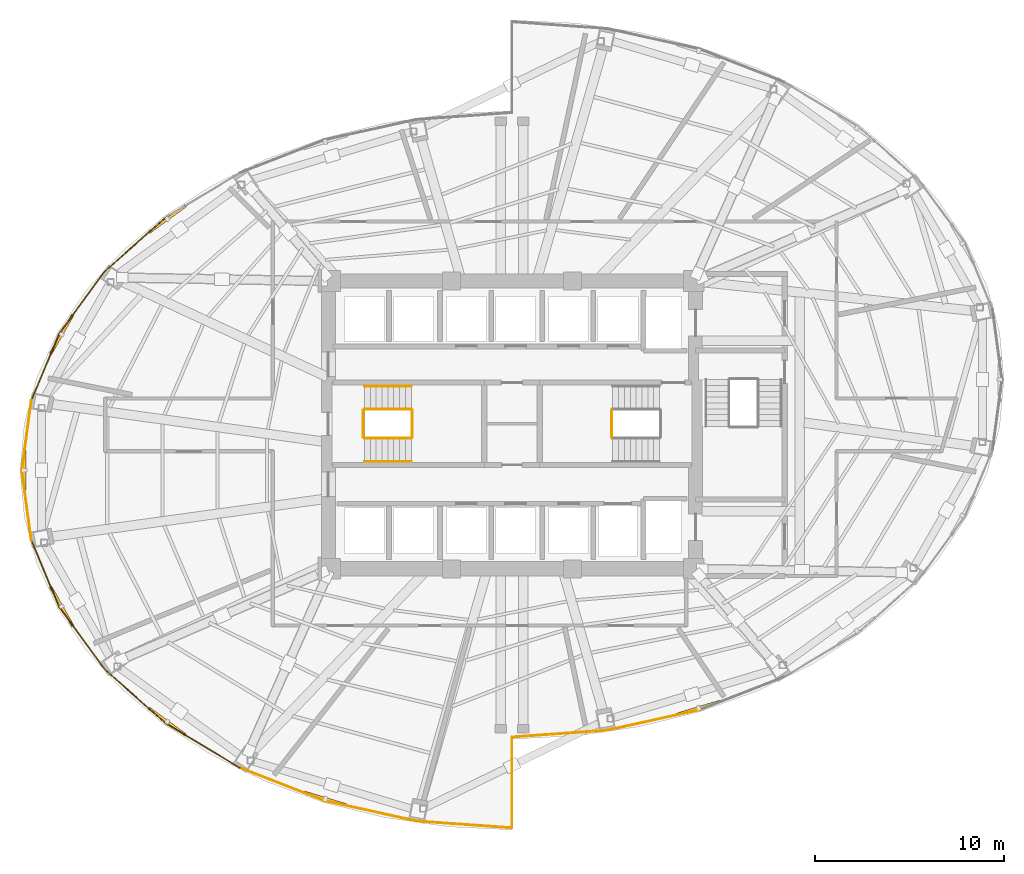
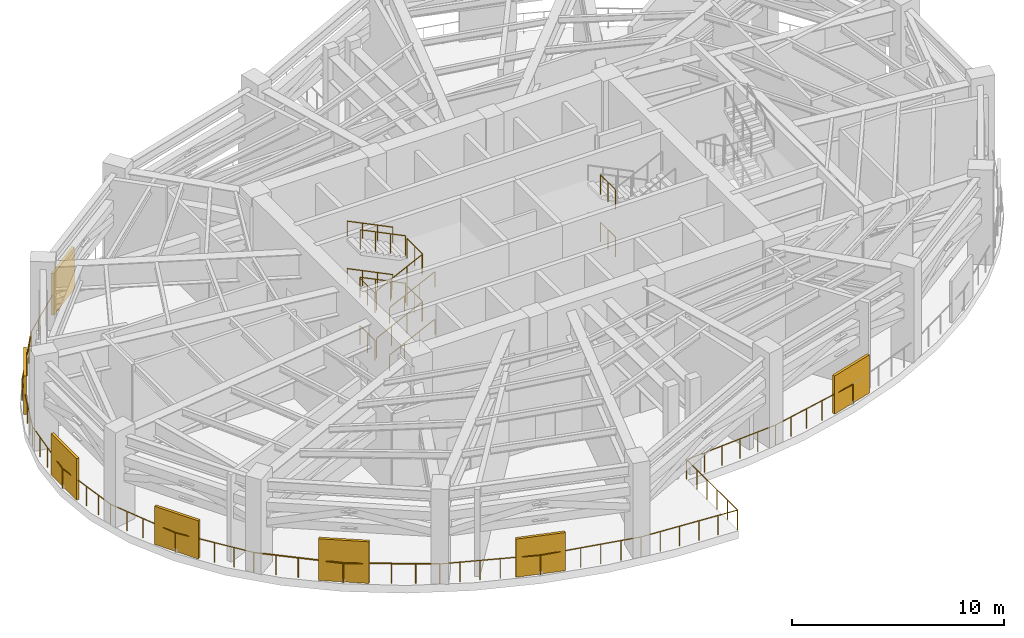
# One storey, part 10 of 12: 29 railings, 7 shading devices.
"""IFC4 building model written with IfcOpenShell, lengths in metres."""

import ifcopenshell
import ifcopenshell.guid

model = None  # the IFC model being written
_history = None  # IfcOwnerHistory: only IFC2X3 demands one
_inside = {}  # id of a spatial element -> (the spatial element, [elements in it])
_under = {}  # id of a project, library or spatial element -> (it, [spatial elements below it])
_declared = {}  # id of a project -> (the project, [libraries it declares])
_typed = {}  # id of a type object -> (the type object, [elements of that type])
_made_of = {}  # id of a material, layer set ... -> (it, [elements and type objects made of it])


def new_model(schema):
    """Start an empty IFC model of exactly this schema.

    Asked for "IFC4X3", IfcOpenShell would pick the latest addendum, in which some entities
    have other attributes; the version numbers below select the first issue.
    IFC2X3 requires an IfcOwnerHistory on every rooted entity: one is made here for all.
    """
    global model, _history
    if schema == "IFC4X3":
        model = ifcopenshell.file(schema_version=(4, 3, 0, 0))
    else:
        model = ifcopenshell.file(schema=schema)
    _inside.clear()
    _under.clear()
    _declared.clear()
    _typed.clear()
    _made_of.clear()
    _history = None
    if model.schema == "IFC2X3":
        org = make("IfcOrganization", Name="unknown")
        user = make(
            "IfcPersonAndOrganization",
            ThePerson=make("IfcPerson", FamilyName="unknown"),
            TheOrganization=org,
        )
        app = make(
            "IfcApplication",
            ApplicationDeveloper=org,
            Version="unknown",
            ApplicationFullName="unknown",
            ApplicationIdentifier="unknown",
        )
        _history = make(
            "IfcOwnerHistory",
            OwningUser=user,
            OwningApplication=app,
            ChangeAction="ADDED",
            CreationDate=0,
        )
    return model


def make(cls, **values):
    """One entity of the class cls with the attributes given. An attribute that is None is left unset."""
    return model.create_entity(
        cls, **{name: value for name, value in values.items() if value is not None}
    )


def rooted(cls, **values):
    """An entity with a GlobalId (a new one), such as an element, a storey or a relation."""
    return make(cls, GlobalId=ifcopenshell.guid.new(), OwnerHistory=_history, **values)


def si_unit(unit_type, name, prefix=None):
    """IfcSIUnit, for example si_unit("LENGTHUNIT", "METRE", prefix="MILLI")."""
    return make("IfcSIUnit", UnitType=unit_type, Prefix=prefix, Name=name)


def assignment(units):
    """IfcUnitAssignment: the units of a project."""
    return None if units is None else make("IfcUnitAssignment", Units=units)


def point(xyz):
    """IfcCartesianPoint."""
    return None if xyz is None else make("IfcCartesianPoint", Coordinates=xyz)


def direction(xyz):
    """IfcDirection."""
    return None if xyz is None else make("IfcDirection", DirectionRatios=xyz)


def frame(location, z_axis=None, x_axis=None):
    """IfcAxis2Placement3D, a coordinate frame: its origin and axes. An axis left out is left unset."""
    return make(
        "IfcAxis2Placement3D",
        Location=point(location),
        Axis=direction(z_axis),
        RefDirection=direction(x_axis),
    )


def frame_2d(location, x_axis=None):
    """IfcAxis2Placement2D, a coordinate frame in the plane: its origin and x axis."""
    return make(
        "IfcAxis2Placement2D", Location=point(location), RefDirection=direction(x_axis)
    )


def origin():
    """The frame at (0, 0, 0) with its axes left unset."""
    return frame((0.0, 0.0, 0.0))


def origin_2d():
    """The frame at (0, 0) in the plane with its x axis left unset."""
    return frame_2d((0.0, 0.0))


def place(relative_to, where):
    """IfcLocalPlacement: puts the frame where relative to a parent placement (None: the world)."""
    return make(
        "IfcLocalPlacement", PlacementRelTo=relative_to, RelativePlacement=where
    )


def context(
    kind, dimensions, precision=None, world=None, true_north=None, identifier=None
):
    """IfcGeometricRepresentationContext, for example the 3D "Model" context."""
    return make(
        "IfcGeometricRepresentationContext",
        ContextIdentifier=identifier,
        ContextType=kind,
        CoordinateSpaceDimension=dimensions,
        Precision=precision,
        WorldCoordinateSystem=world,
        TrueNorth=true_north,
    )


def subcontext(parent, identifier, kind, view, scale=None):
    """IfcGeometricRepresentationSubContext, for example "Body" below "Model"."""
    return make(
        "IfcGeometricRepresentationSubContext",
        ContextIdentifier=identifier,
        ContextType=kind,
        ParentContext=parent,
        TargetScale=scale,
        TargetView=view,
    )


def project(units=None, contexts=None):
    """IfcProject with its units and contexts."""
    return rooted(
        "IfcProject",
        Name="project",
        RepresentationContexts=contexts,
        UnitsInContext=assignment(units),
    )


def spatial(cls, under=None, at=None, **own):
    """A site, building, storey or space (cls), placed at a placement, below another one or the project."""
    s = rooted(cls, ObjectPlacement=at, **own)
    if under is not None:
        _under.setdefault(under.id(), (under, []))[1].append(s)
    return s


def profile(cls, at=None, kind="AREA", **sizes):
    """A parametric profile (cls). Its sizes go by their IFC names, for example OverallWidth=200.0."""
    return make(cls, ProfileType=kind, Position=at, **sizes)


def rectangle(**sizes):
    """IfcRectangleProfileDef."""
    return profile("IfcRectangleProfileDef", **sizes)


def circle(**sizes):
    """IfcCircleProfileDef."""
    return profile("IfcCircleProfileDef", **sizes)


def extrude(swept, where, along, depth):
    """IfcExtrudedAreaSolid: the profile swept, set in the frame where, extruded along a direction by depth."""
    return make(
        "IfcExtrudedAreaSolid",
        SweptArea=swept,
        Position=where,
        ExtrudedDirection=direction(along),
        Depth=depth,
    )


def shape(context_of_items, identifier, shape_type, items):
    """IfcShapeRepresentation: the items that make up one representation, for example the "Body"."""
    return make(
        "IfcShapeRepresentation",
        ContextOfItems=context_of_items,
        RepresentationIdentifier=identifier,
        RepresentationType=shape_type,
        Items=items,
    )


def material(Name=None, Category=None):
    """IfcMaterial."""
    return make("IfcMaterial", Name=Name, Category=Category)


def made_of(thing, what):
    """Note that an element or type object is made of a material, layer set ...; save() writes the relation."""
    if what is not None:
        _made_of.setdefault(what.id(), (what, []))[1].append(thing)
    return thing


def type_object(cls, material=None, **own):
    """A type object (cls), such as IfcWallType, which elements share."""
    return made_of(rooted(cls, **own), material)


def element(
    cls,
    number,
    at=None,
    inside=None,
    cuts=None,
    type_object=None,
    material=None,
    context=None,
    identifier="Body",
    shape_type=None,
    held_by="IfcProductDefinitionShape",
    body=None,
    shapes=None,
    **own,
):
    """One element of the class cls, such as IfcWall. Its Tag is "e" and its number.

    at: its placement. inside: the storey or other place that contains it. cuts: it is an
    opening in that element (IfcRelVoidsElement). A single representation is given by context,
    identifier, shape_type and body (its items); several are given by shapes. held_by: the class
    of the entity that holds the representations. save() writes the other relations.
    """
    e = rooted(cls, Tag="e%d" % number, ObjectPlacement=at, **own)
    if body is not None:
        shapes = [shape(context, identifier, shape_type, body)]
    if shapes is not None:
        e.Representation = make(held_by, Representations=shapes)
    if inside is not None:
        _inside.setdefault(inside.id(), (inside, []))[1].append(e)
    if cuts is not None:
        rooted(
            "IfcRelVoidsElement", RelatingBuildingElement=cuts, RelatedOpeningElement=e
        )
    if type_object is not None:
        _typed.setdefault(type_object.id(), (type_object, []))[1].append(e)
    return made_of(e, material)


def aggregate(whole, parts):
    """IfcRelAggregates: a whole, such as a stair, and the parts it consists of."""
    return rooted("IfcRelAggregates", RelatingObject=whole, RelatedObjects=parts)


def save(model, path):
    """Write the relations noted so far, then the file.

    IfcRelAggregates (storeys below a building ...), IfcRelContainedInSpatialStructure (elements
    in a storey), IfcRelDefinesByType, IfcRelAssociatesMaterial and IfcRelDeclares: one each for
    every whole, place, type object, material and project.
    """
    for whole, parts in _under.values():
        aggregate(whole, parts)
    for where, things in _inside.values():
        rooted(
            "IfcRelContainedInSpatialStructure",
            RelatedElements=things,
            RelatingStructure=where,
        )
    for kind, things in _typed.values():
        rooted("IfcRelDefinesByType", RelatedObjects=things, RelatingType=kind)
    for what, things in _made_of.values():
        rooted("IfcRelAssociatesMaterial", RelatedObjects=things, RelatingMaterial=what)
    for by, libraries in _declared.values():
        rooted("IfcRelDeclares", RelatingContext=by, RelatedDefinitions=libraries)
    model.write(path)


model = new_model("IFC4")

# Units and contexts
model_context = context("Model", 3, precision=1e-05, world=origin(), true_north=direction((0.0, 1.0)))
body_context = subcontext(model_context, "Body", "Model", "MODEL_VIEW")
ifc_project = project(units=[si_unit("LENGTHUNIT", "METRE"), si_unit("AREAUNIT", "SQUARE_METRE"), si_unit("VOLUMEUNIT", "CUBIC_METRE"), si_unit("PLANEANGLEUNIT", "RADIAN"), si_unit("MASSUNIT", "GRAM", prefix="KILO")], contexts=[model_context])

# Site, building, storey
site_placement = place(None, origin())
site = spatial("IfcSite", under=ifc_project, at=site_placement, CompositionType="ELEMENT")
building_placement = place(site_placement, origin())
building = spatial("IfcBuilding", under=site, at=building_placement, Name="Lazwardi Medical Tower", CompositionType="ELEMENT")
storey_placement = place(building_placement, frame((0.0, 0.0, 132.81591796875)))
storey = spatial("IfcBuildingStorey", under=building, at=storey_placement, Name="L34", CompositionType="ELEMENT", Elevation=132.81591796875)

# Railings
ifc_material_1 = material(Name="Anodised bronze aluminium", Category="aluminium")
railing_type_1 = type_object("IfcRailingType", Name="RLG-BAL-1100", PredefinedType="BALUSTRADE", material=ifc_material_1)
railing_1_placement = place(storey_placement, frame((36.0, 11.5, 0.0)))
element("IfcRailing", 1, at=railing_1_placement, inside=storey, type_object=railing_type_1, Name="L34 Refuge Band Perimeter Balustrade 01", PredefinedType="BALUSTRADE", context=body_context, shape_type="SweptSolid", body=[
    extrude(circle(Radius=0.02392578125, at=origin_2d()), frame((0.0, 0.0, 1.1259765625), z_axis=(0.997425320011, 0.071712837078, 0.0), x_axis=(-0.071712837078, 0.997425320011, 0.0)), (0.0, 0.0, 1.0), 5.065673828125),
    extrude(circle(Radius=0.02099609375, at=origin_2d()), origin(), (0.0, 0.0, 1.0), 1.099853515625),
    extrude(circle(Radius=0.02099609375, at=origin_2d()), frame((1.010498046875, 0.07275390625, 0.0)), (0.0, 0.0, 1.0), 1.099853515625),
    extrude(circle(Radius=0.02099609375, at=origin_2d()), frame((2.02099609375, 0.145263671875, 0.0)), (0.0, 0.0, 1.0), 1.099853515625),
    extrude(circle(Radius=0.02099609375, at=origin_2d()), frame((3.03173828125, 0.218017578125, 0.0)), (0.0, 0.0, 1.0), 1.099853515625),
    extrude(circle(Radius=0.02099609375, at=origin_2d()), frame((4.042236328125, 0.29052734375, 0.0)), (0.0, 0.0, 1.0), 1.099853515625),
    extrude(circle(Radius=0.02099609375, at=origin_2d()), frame((5.052734375, 0.36328125, 0.0)), (0.0, 0.0, 1.0), 1.099853515625),
])
railing_2_placement = place(storey_placement, frame((41.052734375, 11.86328125, 0.0)))
element("IfcRailing", 2, at=railing_2_placement, inside=storey, type_object=railing_type_1, Name="L34 Refuge Band Perimeter Balustrade 02", PredefinedType="BALUSTRADE", context=body_context, shape_type="SweptSolid", body=[
    extrude(circle(Radius=0.02392578125, at=origin_2d()), frame((0.0, 0.0, 1.1259765625), z_axis=(0.976370248797, 0.216104459147, 0.0), x_axis=(-0.216104459147, 0.976370248797, 0.0)), (0.0, 0.0, 1.0), 4.9765625),
    extrude(circle(Radius=0.02099609375, at=origin_2d()), origin(), (0.0, 0.0, 1.0), 1.099853515625),
    extrude(circle(Radius=0.02099609375, at=origin_2d()), frame((0.9716796875, 0.215087890625, 0.0)), (0.0, 0.0, 1.0), 1.099853515625),
    extrude(circle(Radius=0.02099609375, at=origin_2d()), frame((1.943603515625, 0.43017578125, 0.0)), (0.0, 0.0, 1.0), 1.099853515625),
    extrude(circle(Radius=0.02099609375, at=origin_2d()), frame((2.915283203125, 0.645263671875, 0.0)), (0.0, 0.0, 1.0), 1.099853515625),
    extrude(circle(Radius=0.02099609375, at=origin_2d()), frame((3.88720703125, 0.8603515625, 0.0)), (0.0, 0.0, 1.0), 1.099853515625),
    extrude(circle(Radius=0.02099609375, at=origin_2d()), frame((4.85888671875, 1.075439453125, 0.0)), (0.0, 0.0, 1.0), 1.099853515625),
])
railing_3_placement = place(storey_placement, frame((17.685791015625, 38.96435546875, 0.0)))
element("IfcRailing", 3, at=railing_3_placement, inside=storey, type_object=railing_type_1, Name="L34 Refuge Band Perimeter Balustrade 22", PredefinedType="BALUSTRADE", context=body_context, shape_type="SweptSolid", body=[
    extrude(circle(Radius=0.02392578125, at=origin_2d()), frame((0.0, 0.0, 1.1259765625), z_axis=(-0.747299927675, -0.664486883314, 0.0), x_axis=(0.664486883314, -0.747299927675, 0.0)), (0.0, 0.0, 1.0), 4.31005859375),
    extrude(circle(Radius=0.02099609375, at=origin_2d()), origin(), (0.0, 0.0, 1.0), 1.099853515625),
    extrude(circle(Radius=0.02099609375, at=origin_2d()), frame((-0.80517578125, -0.716064453125, 0.0)), (0.0, 0.0, 1.0), 1.099853515625),
    extrude(circle(Radius=0.02099609375, at=origin_2d()), frame((-1.6103515625, -1.43212890625, 0.0)), (0.0, 0.0, 1.0), 1.099853515625),
    extrude(circle(Radius=0.02099609375, at=origin_2d()), frame((-2.415771484375, -2.14794921875, 0.0)), (0.0, 0.0, 1.0), 1.099853515625),
    extrude(circle(Radius=0.02099609375, at=origin_2d()), frame((-3.220947265625, -2.864013671875, 0.0)), (0.0, 0.0, 1.0), 1.099853515625),
])
railing_4_placement = place(storey_placement, frame((14.46484375, 36.100341796875, 0.0)))
element("IfcRailing", 4, at=railing_4_placement, inside=storey, type_object=railing_type_1, Name="L34 Refuge Band Perimeter Balustrade 23", PredefinedType="BALUSTRADE", context=body_context, shape_type="SweptSolid", body=[
    extrude(circle(Radius=0.02392578125, at=origin_2d()), frame((0.0, 0.0, 1.1259765625), z_axis=(-0.590895807356, -0.806747881837, 0.0), x_axis=(0.806747881837, -0.590895807356, 0.0)), (0.0, 0.0, 1.0), 4.05029296875),
    extrude(circle(Radius=0.02099609375, at=origin_2d()), origin(), (0.0, 0.0, 1.0), 1.099853515625),
    extrude(circle(Radius=0.02099609375, at=origin_2d()), frame((-0.598388671875, -0.81689453125, 0.0)), (0.0, 0.0, 1.0), 1.099853515625),
    extrude(circle(Radius=0.02099609375, at=origin_2d()), frame((-1.19677734375, -1.6337890625, 0.0)), (0.0, 0.0, 1.0), 1.099853515625),
    extrude(circle(Radius=0.02099609375, at=origin_2d()), frame((-1.794921875, -2.45068359375, 0.0)), (0.0, 0.0, 1.0), 1.099853515625),
    extrude(circle(Radius=0.02099609375, at=origin_2d()), frame((-2.393310546875, -3.267578125, 0.0)), (0.0, 0.0, 1.0), 1.099853515625),
])
railing_5_placement = place(storey_placement, frame((12.071533203125, 32.832763671875, 0.0)))
element("IfcRailing", 5, at=railing_5_placement, inside=storey, type_object=railing_type_1, Name="L34 Refuge Band Perimeter Balustrade 24", PredefinedType="BALUSTRADE", context=body_context, shape_type="SweptSolid", body=[
    extrude(circle(Radius=0.02392578125, at=origin_2d()), frame((0.0, 0.0, 1.1259765625), z_axis=(-0.383843239309, -0.923398271407, 0.0), x_axis=(0.923398271407, -0.383843239309, 0.0)), (0.0, 0.0, 1.0), 3.83984375),
    extrude(circle(Radius=0.02099609375, at=origin_2d()), origin(), (0.0, 0.0, 1.0), 1.099853515625),
    extrude(circle(Radius=0.02099609375, at=origin_2d()), frame((-0.368408203125, -0.886474609375, 0.0)), (0.0, 0.0, 1.0), 1.099853515625),
    extrude(circle(Radius=0.02099609375, at=origin_2d()), frame((-0.73681640625, -1.77294921875, 0.0)), (0.0, 0.0, 1.0), 1.099853515625),
    extrude(circle(Radius=0.02099609375, at=origin_2d()), frame((-1.10546875, -2.6591796875, 0.0)), (0.0, 0.0, 1.0), 1.099853515625),
    extrude(circle(Radius=0.02099609375, at=origin_2d()), frame((-1.473876953125, -3.545654296875, 0.0)), (0.0, 0.0, 1.0), 1.099853515625),
])
railing_6_placement = place(storey_placement, frame((10.59765625, 29.287109375, 0.0)))
element("IfcRailing", 6, at=railing_6_placement, inside=storey, type_object=railing_type_1, Name="L34 Refuge Band Perimeter Balustrade 25", PredefinedType="BALUSTRADE", context=body_context, shape_type="SweptSolid", body=[
    extrude(circle(Radius=0.02392578125, at=origin_2d()), frame((0.0, 0.0, 1.1259765625), z_axis=(-0.13373675188, -0.991016892488, 0.0), x_axis=(0.991016892488, -0.13373675188, 0.0)), (0.0, 0.0, 1.0), 3.720458984375),
    extrude(circle(Radius=0.02099609375, at=origin_2d()), origin(), (0.0, 0.0, 1.0), 1.099853515625),
    extrude(circle(Radius=0.02099609375, at=origin_2d()), frame((-0.12451171875, -0.921875, 0.0)), (0.0, 0.0, 1.0), 1.099853515625),
    extrude(circle(Radius=0.02099609375, at=origin_2d()), frame((-0.248779296875, -1.843505859375, 0.0)), (0.0, 0.0, 1.0), 1.099853515625),
    extrude(circle(Radius=0.02099609375, at=origin_2d()), frame((-0.373046875, -2.76513671875, 0.0)), (0.0, 0.0, 1.0), 1.099853515625),
    extrude(circle(Radius=0.02099609375, at=origin_2d()), frame((-0.49755859375, -3.68701171875, 0.0)), (0.0, 0.0, 1.0), 1.099853515625),
])
railing_7_placement = place(storey_placement, frame((10.10009765625, 25.60009765625, 0.0)))
element("IfcRailing", 7, at=railing_7_placement, inside=storey, type_object=railing_type_1, Name="L34 Refuge Band Perimeter Balustrade 26", PredefinedType="BALUSTRADE", context=body_context, shape_type="SweptSolid", body=[
    extrude(circle(Radius=0.02392578125, at=origin_2d()), frame((0.0, 0.0, 1.1259765625), z_axis=(0.133728055261, -0.991018066049, 0.0), x_axis=(0.991018066049, 0.133728055261, 0.0)), (0.0, 0.0, 1.0), 3.720703125),
    extrude(circle(Radius=0.02099609375, at=origin_2d()), origin(), (0.0, 0.0, 1.0), 1.099853515625),
    extrude(circle(Radius=0.02099609375, at=origin_2d()), frame((0.12451171875, -0.921875, 0.0)), (0.0, 0.0, 1.0), 1.099853515625),
    extrude(circle(Radius=0.02099609375, at=origin_2d()), frame((0.248779296875, -1.84375, 0.0)), (0.0, 0.0, 1.0), 1.099853515625),
    extrude(circle(Radius=0.02099609375, at=origin_2d()), frame((0.373046875, -2.765380859375, 0.0)), (0.0, 0.0, 1.0), 1.099853515625),
    extrude(circle(Radius=0.02099609375, at=origin_2d()), frame((0.49755859375, -3.687255859375, 0.0)), (0.0, 0.0, 1.0), 1.099853515625),
])
railing_8_placement = place(storey_placement, frame((10.59765625, 21.912841796875, 0.0)))
element("IfcRailing", 8, at=railing_8_placement, inside=storey, type_object=railing_type_1, Name="L34 Refuge Band Perimeter Balustrade 27", PredefinedType="BALUSTRADE", context=body_context, shape_type="SweptSolid", body=[
    extrude(circle(Radius=0.02392578125, at=origin_2d()), frame((0.0, 0.0, 1.1259765625), z_axis=(0.383843239309, -0.923398271407, 0.0), x_axis=(0.923398271407, 0.383843239309, 0.0)), (0.0, 0.0, 1.0), 3.83984375),
    extrude(circle(Radius=0.02099609375, at=origin_2d()), origin(), (0.0, 0.0, 1.0), 1.099853515625),
    extrude(circle(Radius=0.02099609375, at=origin_2d()), frame((0.368408203125, -0.886474609375, 0.0)), (0.0, 0.0, 1.0), 1.099853515625),
    extrude(circle(Radius=0.02099609375, at=origin_2d()), frame((0.73681640625, -1.77294921875, 0.0)), (0.0, 0.0, 1.0), 1.099853515625),
    extrude(circle(Radius=0.02099609375, at=origin_2d()), frame((1.10546875, -2.6591796875, 0.0)), (0.0, 0.0, 1.0), 1.099853515625),
    extrude(circle(Radius=0.02099609375, at=origin_2d()), frame((1.473876953125, -3.545654296875, 0.0)), (0.0, 0.0, 1.0), 1.099853515625),
])
railing_9_placement = place(storey_placement, frame((12.071533203125, 18.3671875, 0.0)))
element("IfcRailing", 9, at=railing_9_placement, inside=storey, type_object=railing_type_1, Name="L34 Refuge Band Perimeter Balustrade 28", PredefinedType="BALUSTRADE", context=body_context, shape_type="SweptSolid", body=[
    extrude(circle(Radius=0.02392578125, at=origin_2d()), frame((0.0, 0.0, 1.1259765625), z_axis=(0.590895807356, -0.806747881837, 0.0), x_axis=(0.806747881837, 0.590895807356, 0.0)), (0.0, 0.0, 1.0), 4.05029296875),
    extrude(circle(Radius=0.02099609375, at=origin_2d()), origin(), (0.0, 0.0, 1.0), 1.099853515625),
    extrude(circle(Radius=0.02099609375, at=origin_2d()), frame((0.598388671875, -0.81689453125, 0.0)), (0.0, 0.0, 1.0), 1.099853515625),
    extrude(circle(Radius=0.02099609375, at=origin_2d()), frame((1.19677734375, -1.6337890625, 0.0)), (0.0, 0.0, 1.0), 1.099853515625),
    extrude(circle(Radius=0.02099609375, at=origin_2d()), frame((1.794921875, -2.45068359375, 0.0)), (0.0, 0.0, 1.0), 1.099853515625),
    extrude(circle(Radius=0.02099609375, at=origin_2d()), frame((2.393310546875, -3.267578125, 0.0)), (0.0, 0.0, 1.0), 1.099853515625),
])
railing_10_placement = place(storey_placement, frame((14.46484375, 15.099609375, 0.0)))
element("IfcRailing", 10, at=railing_10_placement, inside=storey, type_object=railing_type_1, Name="L34 Refuge Band Perimeter Balustrade 29", PredefinedType="BALUSTRADE", context=body_context, shape_type="SweptSolid", body=[
    extrude(circle(Radius=0.02392578125, at=origin_2d()), frame((0.0, 0.0, 1.1259765625), z_axis=(0.747299927675, -0.664486883314, 0.0), x_axis=(0.664486883314, 0.747299927675, 0.0)), (0.0, 0.0, 1.0), 4.31005859375),
    extrude(circle(Radius=0.02099609375, at=origin_2d()), origin(), (0.0, 0.0, 1.0), 1.099853515625),
    extrude(circle(Radius=0.02099609375, at=origin_2d()), frame((0.80517578125, -0.716064453125, 0.0)), (0.0, 0.0, 1.0), 1.099853515625),
    extrude(circle(Radius=0.02099609375, at=origin_2d()), frame((1.6103515625, -1.43212890625, 0.0)), (0.0, 0.0, 1.0), 1.099853515625),
    extrude(circle(Radius=0.02099609375, at=origin_2d()), frame((2.415771484375, -2.14794921875, 0.0)), (0.0, 0.0, 1.0), 1.099853515625),
    extrude(circle(Radius=0.02099609375, at=origin_2d()), frame((3.220947265625, -2.864013671875, 0.0)), (0.0, 0.0, 1.0), 1.099853515625),
])
railing_11_placement = place(storey_placement, frame((17.685791015625, 12.235595703125, 0.0)))
element("IfcRailing", 11, at=railing_11_placement, inside=storey, type_object=railing_type_1, Name="L34 Refuge Band Perimeter Balustrade 30", PredefinedType="BALUSTRADE", context=body_context, shape_type="SweptSolid", body=[
    extrude(circle(Radius=0.02392578125, at=origin_2d()), frame((0.0, 0.0, 1.1259765625), z_axis=(0.857930539763, -0.513765694594, 0.0), x_axis=(0.513765694594, 0.857930539763, 0.0)), (0.0, 0.0, 1.0), 4.57470703125),
    extrude(circle(Radius=0.02099609375, at=origin_2d()), origin(), (0.0, 0.0, 1.0), 1.099853515625),
    extrude(circle(Radius=0.02099609375, at=origin_2d()), frame((0.981201171875, -0.587646484375, 0.0)), (0.0, 0.0, 1.0), 1.099853515625),
    extrude(circle(Radius=0.02099609375, at=origin_2d()), frame((1.96240234375, -1.17529296875, 0.0)), (0.0, 0.0, 1.0), 1.099853515625),
    extrude(circle(Radius=0.02099609375, at=origin_2d()), frame((2.943603515625, -1.7626953125, 0.0)), (0.0, 0.0, 1.0), 1.099853515625),
    extrude(circle(Radius=0.02099609375, at=origin_2d()), frame((3.9248046875, -2.350341796875, 0.0)), (0.0, 0.0, 1.0), 1.099853515625),
])
railing_12_placement = place(storey_placement, frame((21.610595703125, 9.88525390625, 0.0)))
element("IfcRailing", 12, at=railing_12_placement, inside=storey, type_object=railing_type_1, Name="L34 Refuge Band Perimeter Balustrade 31", PredefinedType="BALUSTRADE", context=body_context, shape_type="SweptSolid", body=[
    extrude(circle(Radius=0.02392578125, at=origin_2d()), frame((0.0, 0.0, 1.1259765625), z_axis=(0.93163718725, -0.363389806313, 0.0), x_axis=(0.363389806313, 0.93163718725, 0.0)), (0.0, 0.0, 1.0), 4.806396484375),
    extrude(circle(Radius=0.02099609375, at=origin_2d()), origin(), (0.0, 0.0, 1.0), 1.099853515625),
    extrude(circle(Radius=0.02099609375, at=origin_2d()), frame((0.8955078125, -0.349365234375, 0.0)), (0.0, 0.0, 1.0), 1.099853515625),
    extrude(circle(Radius=0.02099609375, at=origin_2d()), frame((1.791015625, -0.69873046875, 0.0)), (0.0, 0.0, 1.0), 1.099853515625),
    extrude(circle(Radius=0.02099609375, at=origin_2d()), frame((2.686767578125, -1.0478515625, 0.0)), (0.0, 0.0, 1.0), 1.099853515625),
    extrude(circle(Radius=0.02099609375, at=origin_2d()), frame((3.582275390625, -1.397216796875, 0.0)), (0.0, 0.0, 1.0), 1.099853515625),
    extrude(circle(Radius=0.02099609375, at=origin_2d()), frame((4.477783203125, -1.74658203125, 0.0)), (0.0, 0.0, 1.0), 1.099853515625),
])
railing_13_placement = place(storey_placement, frame((26.08837890625, 8.138671875, 0.0)))
element("IfcRailing", 13, at=railing_13_placement, inside=storey, type_object=railing_type_1, Name="L34 Refuge Band Perimeter Balustrade 32", PredefinedType="BALUSTRADE", context=body_context, shape_type="SweptSolid", body=[
    extrude(circle(Radius=0.02392578125, at=origin_2d()), frame((0.0, 0.0, 1.1259765625), z_axis=(0.976370248797, -0.216104459147, 0.0), x_axis=(0.216104459147, 0.976370248797, 0.0)), (0.0, 0.0, 1.0), 4.9765625),
    extrude(circle(Radius=0.02099609375, at=origin_2d()), origin(), (0.0, 0.0, 1.0), 1.099853515625),
    extrude(circle(Radius=0.02099609375, at=origin_2d()), frame((0.9716796875, -0.215087890625, 0.0)), (0.0, 0.0, 1.0), 1.099853515625),
    extrude(circle(Radius=0.02099609375, at=origin_2d()), frame((1.943603515625, -0.43017578125, 0.0)), (0.0, 0.0, 1.0), 1.099853515625),
    extrude(circle(Radius=0.02099609375, at=origin_2d()), frame((2.915283203125, -0.645263671875, 0.0)), (0.0, 0.0, 1.0), 1.099853515625),
    extrude(circle(Radius=0.02099609375, at=origin_2d()), frame((3.88720703125, -0.8603515625, 0.0)), (0.0, 0.0, 1.0), 1.099853515625),
    extrude(circle(Radius=0.02099609375, at=origin_2d()), frame((4.85888671875, -1.075439453125, 0.0)), (0.0, 0.0, 1.0), 1.099853515625),
])
railing_14_placement = place(storey_placement, frame((30.947265625, 7.063232421875, 0.0)))
element("IfcRailing", 14, at=railing_14_placement, inside=storey, type_object=railing_type_1, Name="L34 Refuge Band Perimeter Balustrade 33", PredefinedType="BALUSTRADE", context=body_context, shape_type="SweptSolid", body=[
    extrude(circle(Radius=0.02392578125, at=origin_2d()), frame((0.0, 0.0, 1.1259765625), z_axis=(0.997425320011, -0.071712837078, 0.0), x_axis=(0.071712837078, 0.997425320011, 0.0)), (0.0, 0.0, 1.0), 5.065673828125),
    extrude(circle(Radius=0.02099609375, at=origin_2d()), origin(), (0.0, 0.0, 1.0), 1.099853515625),
    extrude(circle(Radius=0.02099609375, at=origin_2d()), frame((1.010498046875, -0.07275390625, 0.0)), (0.0, 0.0, 1.0), 1.099853515625),
    extrude(circle(Radius=0.02099609375, at=origin_2d()), frame((2.02099609375, -0.145263671875, 0.0)), (0.0, 0.0, 1.0), 1.099853515625),
    extrude(circle(Radius=0.02099609375, at=origin_2d()), frame((3.03173828125, -0.218017578125, 0.0)), (0.0, 0.0, 1.0), 1.099853515625),
    extrude(circle(Radius=0.02099609375, at=origin_2d()), frame((4.042236328125, -0.29052734375, 0.0)), (0.0, 0.0, 1.0), 1.099853515625),
    extrude(circle(Radius=0.02099609375, at=origin_2d()), frame((5.052734375, -0.36328125, 0.0)), (0.0, 0.0, 1.0), 1.099853515625),
])
railing_15_placement = place(storey_placement, frame((36.0, 6.699951171875, 0.0)))
element("IfcRailing", 15, at=railing_15_placement, inside=storey, type_object=railing_type_1, Name="L34 Refuge Band Perimeter Balustrade 34", PredefinedType="BALUSTRADE", context=body_context, shape_type="SweptSolid", body=[
    extrude(circle(Radius=0.02392578125, at=origin_2d()), frame((0.0, 0.0, 1.1259765625), z_axis=(0.0, 1.0, 0.0), x_axis=(-1.0, 0.0, 0.0)), (0.0, 0.0, 1.0), 4.800048828125),
    extrude(circle(Radius=0.02099609375, at=origin_2d()), origin(), (0.0, 0.0, 1.0), 1.099853515625),
    extrude(circle(Radius=0.02099609375, at=origin_2d()), frame((0.0, 0.9599609375, 0.0)), (0.0, 0.0, 1.0), 1.099853515625),
    extrude(circle(Radius=0.02099609375, at=origin_2d()), frame((0.0, 1.919921875, 0.0)), (0.0, 0.0, 1.0), 1.099853515625),
    extrude(circle(Radius=0.02099609375, at=origin_2d()), frame((0.0, 2.880126953125, 0.0)), (0.0, 0.0, 1.0), 1.099853515625),
    extrude(circle(Radius=0.02099609375, at=origin_2d()), frame((0.0, 3.840087890625, 0.0)), (0.0, 0.0, 1.0), 1.099853515625),
    extrude(circle(Radius=0.02099609375, at=origin_2d()), frame((0.0, 4.800048828125, 0.0)), (0.0, 0.0, 1.0), 1.099853515625),
])
ifc_material_2 = material(Name="Stainless steel Grade 316", Category="steel")
railing_type_2 = type_object("IfcRailingType", Name="RLG-GRD-1150", PredefinedType="GUARDRAIL", material=ifc_material_2)
railing_16_placement = place(storey_placement, frame((28.199951171875, 27.2900390625, 0.152099609375)))
element("IfcRailing", 16, at=railing_16_placement, inside=storey, type_object=railing_type_2, Name="L34 ST1 stair guard 1", PredefinedType="GUARDRAIL", context=body_context, shape_type="SweptSolid", body=[
    extrude(circle(Radius=0.02392578125, at=origin_2d()), frame((0.0, 0.0, 1.1259765625), z_axis=(0.897865232124, 0.0, 0.440270399804), x_axis=(0.0, 1.0, 0.0)), (0.0, 0.0, 1.0), 2.76220703125),
    extrude(circle(Radius=0.02099609375, at=origin_2d()), origin(), (0.0, 0.0, 1.0), 1.099853515625),
    extrude(circle(Radius=0.02099609375, at=origin_2d()), frame((0.82666015625, 0.0, 0.4052734375)), (0.0, 0.0, 1.0), 1.099853515625),
    extrude(circle(Radius=0.02099609375, at=origin_2d()), frame((1.6533203125, 0.0, 0.810791015625)), (0.0, 0.0, 1.0), 1.099853515625),
    extrude(circle(Radius=0.02099609375, at=origin_2d()), frame((2.47998046875, 0.0, 1.216064453125)), (0.0, 0.0, 1.0), 1.099853515625),
])
railing_17_placement = place(storey_placement, frame((30.72998046875, 27.340087890625, 1.3681640625)))
element("IfcRailing", 17, at=railing_17_placement, inside=storey, type_object=railing_type_2, Name="L34 ST1 stair guard 2", PredefinedType="GUARDRAIL", context=body_context, shape_type="SweptSolid", body=[
    extrude(circle(Radius=0.02392578125, at=origin_2d()), frame((0.0, 0.0, 1.1259765625), z_axis=(0.0, 1.0, 0.0), x_axis=(-1.0, 0.0, 0.0)), (0.0, 0.0, 1.0), 1.43994140625),
    extrude(circle(Radius=0.02099609375, at=origin_2d()), origin(), (0.0, 0.0, 1.0), 1.099853515625),
    extrude(circle(Radius=0.02099609375, at=origin_2d()), frame((0.0, 0.719970703125, 0.0)), (0.0, 0.0, 1.0), 1.099853515625),
    extrude(circle(Radius=0.02099609375, at=origin_2d()), frame((0.0, 1.43994140625, 0.0)), (0.0, 0.0, 1.0), 1.099853515625),
])
railing_18_placement = place(storey_placement, frame((30.679931640625, 28.830078125, 1.52001953125)))
element("IfcRailing", 18, at=railing_18_placement, inside=storey, type_object=railing_type_2, Name="L34 ST1 stair guard 3", PredefinedType="GUARDRAIL", context=body_context, shape_type="SweptSolid", body=[
    extrude(circle(Radius=0.02392578125, at=origin_2d()), frame((0.0, 0.0, 1.1259765625), z_axis=(-0.897865232124, 0.0, 0.440270399804), x_axis=(0.0, -1.0, 0.0)), (0.0, 0.0, 1.0), 2.76220703125),
    extrude(circle(Radius=0.02099609375, at=origin_2d()), origin(), (0.0, 0.0, 1.0), 1.099853515625),
    extrude(circle(Radius=0.02099609375, at=origin_2d()), frame((-0.82666015625, 0.0, 0.4052734375)), (0.0, 0.0, 1.0), 1.099853515625),
    extrude(circle(Radius=0.02099609375, at=origin_2d()), frame((-1.6533203125, 0.0, 0.810791015625)), (0.0, 0.0, 1.0), 1.099853515625),
    extrude(circle(Radius=0.02099609375, at=origin_2d()), frame((-2.47998046875, 0.0, 1.216064453125)), (0.0, 0.0, 1.0), 1.099853515625),
])
railing_19_placement = place(storey_placement, frame((28.14990234375, 27.340087890625, 2.736083984375)))
element("IfcRailing", 19, at=railing_19_placement, inside=storey, type_object=railing_type_2, Name="L34 ST1 stair guard 4", PredefinedType="GUARDRAIL", context=body_context, shape_type="SweptSolid", body=[
    extrude(circle(Radius=0.02392578125, at=origin_2d()), frame((0.0, 0.0, 1.1259765625), z_axis=(0.0, 1.0, 0.0), x_axis=(-1.0, 0.0, 0.0)), (0.0, 0.0, 1.0), 1.43994140625),
    extrude(circle(Radius=0.02099609375, at=origin_2d()), origin(), (0.0, 0.0, 1.0), 1.099853515625),
    extrude(circle(Radius=0.02099609375, at=origin_2d()), frame((0.0, 0.719970703125, 0.0)), (0.0, 0.0, 1.0), 1.099853515625),
    extrude(circle(Radius=0.02099609375, at=origin_2d()), frame((0.0, 1.43994140625, 0.0)), (0.0, 0.0, 1.0), 1.099853515625),
])
railing_20_placement = place(storey_placement, frame((28.199951171875, 27.2900390625, 2.88818359375)))
element("IfcRailing", 20, at=railing_20_placement, inside=storey, type_object=railing_type_2, Name="L34 ST1 stair guard 5", PredefinedType="GUARDRAIL", context=body_context, shape_type="SweptSolid", body=[
    extrude(circle(Radius=0.02392578125, at=origin_2d()), frame((0.0, 0.0, 1.1259765625), z_axis=(0.897900171516, 0.0, 0.440199139018), x_axis=(0.0, 1.0, 0.0)), (0.0, 0.0, 1.0), 2.761962890625),
    extrude(circle(Radius=0.02099609375, at=origin_2d()), origin(), (0.0, 0.0, 1.0), 1.099853515625),
    extrude(circle(Radius=0.02099609375, at=origin_2d()), frame((0.82666015625, 0.0, 0.4052734375)), (0.0, 0.0, 1.0), 1.099853515625),
    extrude(circle(Radius=0.02099609375, at=origin_2d()), frame((1.6533203125, 0.0, 0.810546875)), (0.0, 0.0, 1.0), 1.099853515625),
    extrude(circle(Radius=0.02099609375, at=origin_2d()), frame((2.47998046875, 0.0, 1.2158203125)), (0.0, 0.0, 1.0), 1.099853515625),
])
railing_21_placement = place(storey_placement, frame((30.72998046875, 27.340087890625, 4.10400390625)))
element("IfcRailing", 21, at=railing_21_placement, inside=storey, type_object=railing_type_2, Name="L34 ST1 stair guard 6", PredefinedType="GUARDRAIL", context=body_context, shape_type="SweptSolid", body=[
    extrude(circle(Radius=0.02392578125, at=origin_2d()), frame((0.0, 0.0, 1.1259765625), z_axis=(0.0, 1.0, 0.0), x_axis=(-1.0, 0.0, 0.0)), (0.0, 0.0, 1.0), 1.43994140625),
    extrude(circle(Radius=0.02099609375, at=origin_2d()), origin(), (0.0, 0.0, 1.0), 1.099853515625),
    extrude(circle(Radius=0.02099609375, at=origin_2d()), frame((0.0, 0.719970703125, 0.0)), (0.0, 0.0, 1.0), 1.099853515625),
    extrude(circle(Radius=0.02099609375, at=origin_2d()), frame((0.0, 1.43994140625, 0.0)), (0.0, 0.0, 1.0), 1.099853515625),
])
railing_22_placement = place(storey_placement, frame((30.679931640625, 28.830078125, 4.256103515625)))
element("IfcRailing", 22, at=railing_22_placement, inside=storey, type_object=railing_type_2, Name="L34 ST1 stair guard 7", PredefinedType="GUARDRAIL", context=body_context, shape_type="SweptSolid", body=[
    extrude(circle(Radius=0.02392578125, at=origin_2d()), frame((0.0, 0.0, 1.1259765625), z_axis=(-0.897865232124, 0.0, 0.440270399804), x_axis=(0.0, -1.0, 0.0)), (0.0, 0.0, 1.0), 2.76220703125),
    extrude(circle(Radius=0.02099609375, at=origin_2d()), origin(), (0.0, 0.0, 1.0), 1.099853515625),
    extrude(circle(Radius=0.02099609375, at=origin_2d()), frame((-0.82666015625, 0.0, 0.4052734375)), (0.0, 0.0, 1.0), 1.099853515625),
    extrude(circle(Radius=0.02099609375, at=origin_2d()), frame((-1.6533203125, 0.0, 0.810791015625)), (0.0, 0.0, 1.0), 1.099853515625),
    extrude(circle(Radius=0.02099609375, at=origin_2d()), frame((-2.47998046875, 0.0, 1.216064453125)), (0.0, 0.0, 1.0), 1.099853515625),
])
railing_23_placement = place(storey_placement, frame((28.14990234375, 27.340087890625, 0.0)))
element("IfcRailing", 23, at=railing_23_placement, inside=storey, type_object=railing_type_2, Name="L34 ST1 stair guard 8", PredefinedType="GUARDRAIL", context=body_context, shape_type="SweptSolid", body=[
    extrude(circle(Radius=0.02392578125, at=origin_2d()), frame((0.0, 0.0, 1.1259765625), z_axis=(0.0, 1.0, 0.0), x_axis=(-1.0, 0.0, 0.0)), (0.0, 0.0, 1.0), 1.43994140625),
    extrude(circle(Radius=0.02099609375, at=origin_2d()), origin(), (0.0, 0.0, 1.0), 1.099853515625),
    extrude(circle(Radius=0.02099609375, at=origin_2d()), frame((0.0, 0.719970703125, 0.0)), (0.0, 0.0, 1.0), 1.099853515625),
    extrude(circle(Radius=0.02099609375, at=origin_2d()), frame((0.0, 1.43994140625, 0.0)), (0.0, 0.0, 1.0), 1.099853515625),
])
for number, where, name in (
    (24, (41.27001953125, 28.780029296875, 1.3681640625), "L34 ST2 stair guard 2"),
    (25, (41.27001953125, 28.780029296875, 4.10400390625), "L34 ST2 stair guard 6"),
):
    element("IfcRailing", number, at=place(storey_placement, frame(where)), inside=storey, type_object=railing_type_2, Name=name, PredefinedType="GUARDRAIL", context=body_context, shape_type="SweptSolid", body=[
        extrude(circle(Radius=0.02392578125, at=origin_2d()), frame((0.0, 0.0, 1.1259765625), z_axis=(0.0, -1.0, 0.0), x_axis=(1.0, 0.0, 0.0)), (0.0, 0.0, 1.0), 1.43994140625),
        extrude(circle(Radius=0.02099609375, at=origin_2d()), origin(), (0.0, 0.0, 1.0), 1.099853515625),
        extrude(circle(Radius=0.02099609375, at=origin_2d()), frame((0.0, -0.719970703125, 0.0)), (0.0, 0.0, 1.0), 1.099853515625),
        extrude(circle(Radius=0.02099609375, at=origin_2d()), frame((0.0, -1.43994140625, 0.0)), (0.0, 0.0, 1.0), 1.099853515625),
    ])
railing_type_3 = type_object("IfcRailingType", Name="RLG-HND-920", PredefinedType="HANDRAIL", material=ifc_material_2)
railing_24_placement = place(storey_placement, frame((28.199951171875, 26.070068359375, 0.152099609375)))
element("IfcRailing", 26, at=railing_24_placement, inside=storey, type_object=railing_type_3, Name="L34 ST1 stair handrail 1", PredefinedType="HANDRAIL", context=body_context, shape_type="SweptSolid", body=[
    extrude(circle(Radius=0.02392578125, at=origin_2d()), frame((0.0, 0.0, 0.8857421875), z_axis=(0.897865232124, 0.0, 0.440270399804), x_axis=(0.0, 1.0, 0.0)), (0.0, 0.0, 1.0), 2.76220703125),
    extrude(circle(Radius=0.02099609375, at=origin_2d()), origin(), (0.0, 0.0, 1.0), 0.85986328125),
    extrude(circle(Radius=0.02099609375, at=origin_2d()), frame((0.82666015625, 0.0, 0.4052734375)), (0.0, 0.0, 1.0), 0.85986328125),
    extrude(circle(Radius=0.02099609375, at=origin_2d()), frame((1.6533203125, 0.0, 0.810791015625)), (0.0, 0.0, 1.0), 0.85986328125),
    extrude(circle(Radius=0.02099609375, at=origin_2d()), frame((2.47998046875, 0.0, 1.216064453125)), (0.0, 0.0, 1.0), 0.85986328125),
])
railing_25_placement = place(storey_placement, frame((30.679931640625, 30.050048828125, 1.52001953125)))
element("IfcRailing", 27, at=railing_25_placement, inside=storey, type_object=railing_type_3, Name="L34 ST1 stair handrail 2", PredefinedType="HANDRAIL", context=body_context, shape_type="SweptSolid", body=[
    extrude(circle(Radius=0.02392578125, at=origin_2d()), frame((0.0, 0.0, 0.8857421875), z_axis=(-0.897865232124, 0.0, 0.440270399804), x_axis=(0.0, -1.0, 0.0)), (0.0, 0.0, 1.0), 2.76220703125),
    extrude(circle(Radius=0.02099609375, at=origin_2d()), origin(), (0.0, 0.0, 1.0), 0.85986328125),
    extrude(circle(Radius=0.02099609375, at=origin_2d()), frame((-0.82666015625, 0.0, 0.4052734375)), (0.0, 0.0, 1.0), 0.85986328125),
    extrude(circle(Radius=0.02099609375, at=origin_2d()), frame((-1.6533203125, 0.0, 0.810791015625)), (0.0, 0.0, 1.0), 0.85986328125),
    extrude(circle(Radius=0.02099609375, at=origin_2d()), frame((-2.47998046875, 0.0, 1.216064453125)), (0.0, 0.0, 1.0), 0.85986328125),
])
railing_26_placement = place(storey_placement, frame((28.199951171875, 26.070068359375, 2.88818359375)))
element("IfcRailing", 28, at=railing_26_placement, inside=storey, type_object=railing_type_3, Name="L34 ST1 stair handrail 3", PredefinedType="HANDRAIL", context=body_context, shape_type="SweptSolid", body=[
    extrude(circle(Radius=0.02392578125, at=origin_2d()), frame((0.0, 0.0, 0.8857421875), z_axis=(0.897900171516, 0.0, 0.440199139018), x_axis=(0.0, 1.0, 0.0)), (0.0, 0.0, 1.0), 2.761962890625),
    extrude(circle(Radius=0.02099609375, at=origin_2d()), origin(), (0.0, 0.0, 1.0), 0.85986328125),
    extrude(circle(Radius=0.02099609375, at=origin_2d()), frame((0.82666015625, 0.0, 0.4052734375)), (0.0, 0.0, 1.0), 0.85986328125),
    extrude(circle(Radius=0.02099609375, at=origin_2d()), frame((1.6533203125, 0.0, 0.810546875)), (0.0, 0.0, 1.0), 0.85986328125),
    extrude(circle(Radius=0.02099609375, at=origin_2d()), frame((2.47998046875, 0.0, 1.2158203125)), (0.0, 0.0, 1.0), 0.85986328125),
])
railing_27_placement = place(storey_placement, frame((30.679931640625, 30.050048828125, 4.256103515625)))
element("IfcRailing", 29, at=railing_27_placement, inside=storey, type_object=railing_type_3, Name="L34 ST1 stair handrail 4", PredefinedType="HANDRAIL", context=body_context, shape_type="SweptSolid", body=[
    extrude(circle(Radius=0.02392578125, at=origin_2d()), frame((0.0, 0.0, 0.8857421875), z_axis=(-0.897865232124, 0.0, 0.440270399804), x_axis=(0.0, -1.0, 0.0)), (0.0, 0.0, 1.0), 2.76220703125),
    extrude(circle(Radius=0.02099609375, at=origin_2d()), origin(), (0.0, 0.0, 1.0), 0.85986328125),
    extrude(circle(Radius=0.02099609375, at=origin_2d()), frame((-0.82666015625, 0.0, 0.4052734375)), (0.0, 0.0, 1.0), 0.85986328125),
    extrude(circle(Radius=0.02099609375, at=origin_2d()), frame((-1.6533203125, 0.0, 0.810791015625)), (0.0, 0.0, 1.0), 0.85986328125),
    extrude(circle(Radius=0.02099609375, at=origin_2d()), frame((-2.47998046875, 0.0, 1.216064453125)), (0.0, 0.0, 1.0), 0.85986328125),
])

# Shading devices
ifc_material_3 = material(Name="Anodised bronze aluminium storm louvre", Category="aluminium")
shading_device_type_1 = type_object("IfcShadingDeviceType", Name="SHD-LVR-01", PredefinedType="JALOUSIE", material=ifc_material_3)
for number, where, z_axis, x_axis, name in (
    (30, (45.85791015625, 13.0478515625, 0.0), (0.0, 0.0, 1.0), (0.957299316973, 0.289098629749, 0.0), "L34 Tropical Storm Louvre 01"),
    (31, (12.200439453125, 32.78759765625, 0.0), (0.0, 0.0, 1.0), (-0.493967664801, -0.869480273572, 0.0), "L34 Tropical Storm Louvre 11"),
    (32, (12.200439453125, 18.412353515625, 0.0), (0.0, 0.0, 1.0), (0.493967664801, -0.869480273572, 0.0), "L34 Tropical Storm Louvre 13"),
    (33, (26.14208984375, 8.247802734375, 0.0), (0.0, 0.0, 1.0), (0.957299316973, -0.289098629749, 0.0), "L34 Tropical Storm Louvre 15"),
):
    element("IfcShadingDevice", number, at=place(storey_placement, frame(where, z_axis=z_axis, x_axis=x_axis)), inside=storey, type_object=shading_device_type_1, Name=name, PredefinedType="JALOUSIE", context=body_context, shape_type="SweptSolid", body=[
        extrude(rectangle(XDim=2.39990234375, YDim=0.139892578125, at=origin_2d()), origin(), (0.0, 0.0, 1.0), 2.199951171875),
    ])
ifc_material_4 = material(Name="Perforated bronze girih solar screen", Category="aluminium")
shading_device_type_2 = type_object("IfcShadingDeviceType", Name="SHD-SCR-01", PredefinedType="USERDEFINED", material=ifc_material_4)
for number, where, z_axis, x_axis, name in (
    (34, (17.78466796875, 38.880859375, 0.000244140625), (0.0, 0.0, 1.0), (-0.808043354335, -0.589123024091, 0.0), "L34 Bronze Girih Solar Screen 10"),
    (35, (10.23974609375, 25.60009765625, 0.000244140625), (0.0, 0.0, 1.0), (0.0, -1.0, 0.0), "L34 Bronze Girih Solar Screen 12"),
    (36, (17.78466796875, 12.319091796875, 0.000244140625), (0.0, 0.0, 1.0), (0.808043354335, -0.589123024091, 0.0), "L34 Bronze Girih Solar Screen 14"),
):
    element("IfcShadingDevice", number, at=place(storey_placement, frame(where, z_axis=z_axis, x_axis=x_axis)), inside=storey, type_object=shading_device_type_2, Name=name, ObjectType="SCREEN", PredefinedType="USERDEFINED", context=body_context, shape_type="SweptSolid", body=[
        extrude(rectangle(XDim=2.39990234375, YDim=0.139892578125, at=origin_2d()), origin(), (0.0, 0.0, 1.0), 2.39990234375),
    ])

save(model, "model.ifc")
